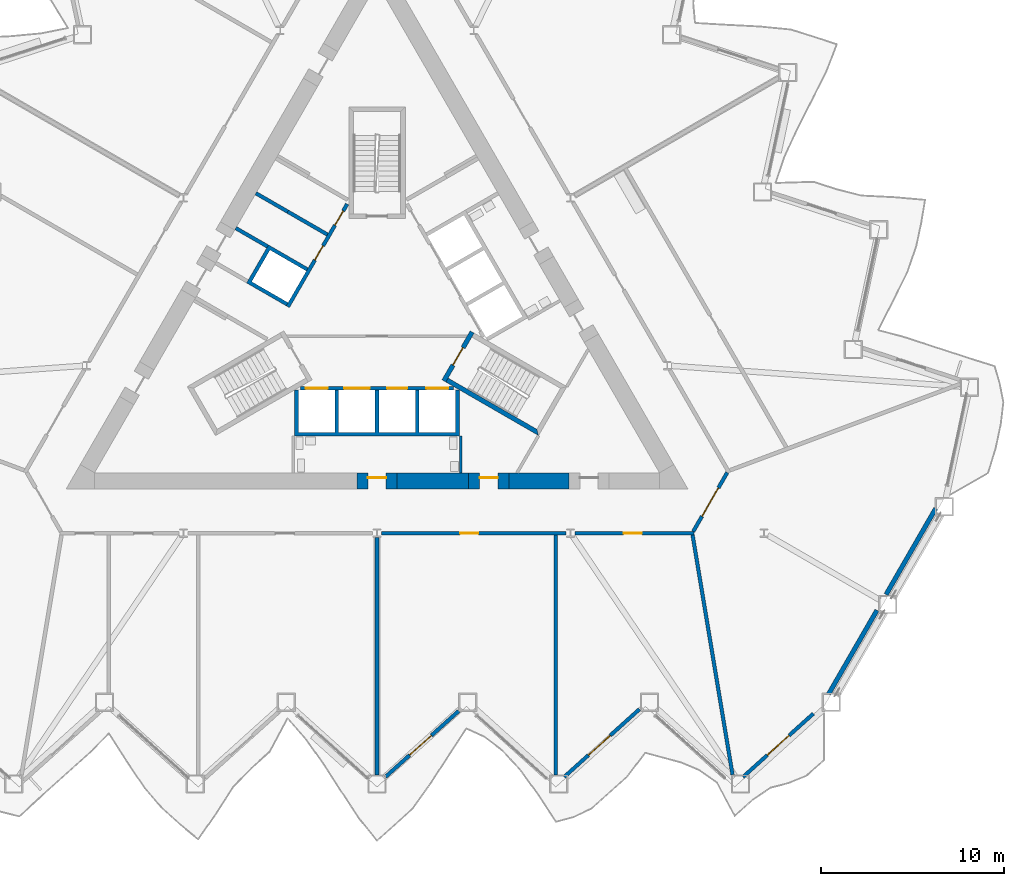
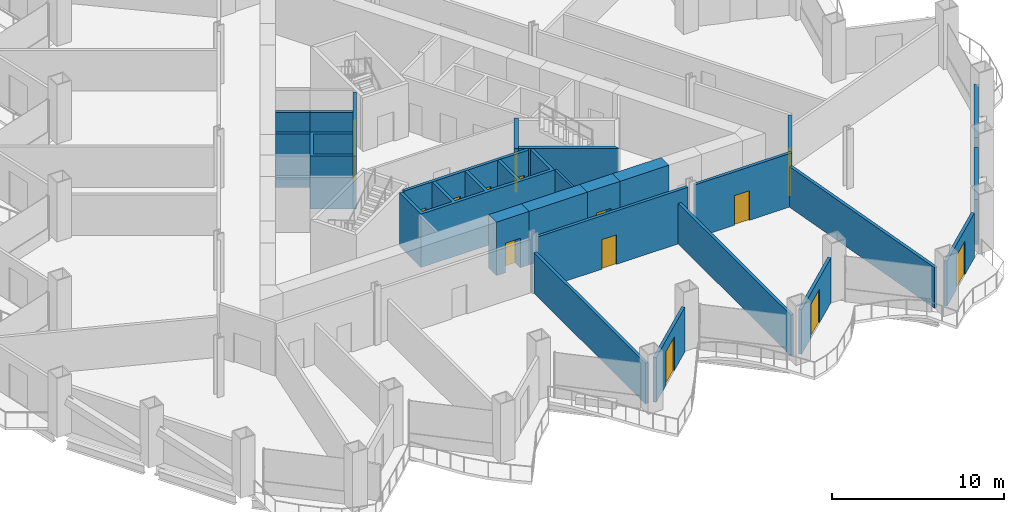
# One storey, part 10 of 20: 25 walls, 15 doors, 15 openings.
"""IFC4 building model written with IfcOpenShell, lengths in metres."""

from ifc_helpers import new_model, si_unit, direction, frame, frame_2d, origin, place, context, subcontext, project, spatial, polyline, rectangle, outline, extrude, material, layer, layer_set, type_object, element, fill, save


model = new_model("IFC4")

# Units and contexts
model_context = context("Model", 3, precision=1e-05, world=origin(), true_north=direction((0.0, 1.0)))
body_context = subcontext(model_context, "Body", "Model", "MODEL_VIEW")
ifc_project = project(units=[si_unit("LENGTHUNIT", "METRE"), si_unit("AREAUNIT", "SQUARE_METRE"), si_unit("VOLUMEUNIT", "CUBIC_METRE"), si_unit("PLANEANGLEUNIT", "RADIAN"), si_unit("MASSUNIT", "GRAM", prefix="KILO")], contexts=[model_context])

# Site, building, storey
site_placement = place(None, origin())
site = spatial("IfcSite", under=ifc_project, at=site_placement, CompositionType="ELEMENT")
building_placement = place(site_placement, origin())
building = spatial("IfcBuilding", under=site, at=building_placement, Name="Cormorant Prow Tower", CompositionType="ELEMENT")
storey_placement = place(building_placement, frame((0.0, 0.0, 63.60009765625)))
storey = spatial("IfcBuildingStorey", under=building, at=storey_placement, Name="L13", CompositionType="ELEMENT", Elevation=63.60009765625)

# Walls
ifc_material_1 = material(Name="Gypsum board partition")
ifc_layer_1 = layer(ifc_material_1, 0.14990234375)
ifc_layer_set_1 = layer_set([ifc_layer_1], Name="Gypsum board partition")
wall_type_1 = type_object("IfcWallType", Name="Core partition 150", PredefinedType="PARTITIONING", material=ifc_layer_set_1)
wall_1_placement = place(storey_placement, frame((4.574951171875, -6.906005859375, 0.0), z_axis=(0.0, 0.0, 1.0), x_axis=(0.0, -1.0, 0.0)))
element("IfcWall", 1, at=wall_1_placement, inside=storey, type_object=wall_type_1, Name="Service room partition", PredefinedType="PARTITIONING", context=body_context, shape_type="SweptSolid", body=[
    extrude(rectangle(XDim=2.009033203125, YDim=0.14990234375, at=frame_2d((1.00439453125, 0.0))), origin(), (0.0, 0.0, 1.0), 3.7998046875),
])
ifc_material_2 = material(Name="Concrete 8000 psi", Category="concrete")
ifc_layer_2 = layer(ifc_material_2, 0.89990234375)
ifc_layer_set_2 = layer_set([ifc_layer_2], Name="Concrete 8000 psi")
wall_type_2 = type_object("IfcWallType", Name="Core shear wall 900", PredefinedType="SHEAR", material=ifc_layer_set_2)
wall_2_placement = place(storey_placement, frame((1.10009765625, -9.364990234375, 0.0), z_axis=(0.0, 0.0, 1.0), x_axis=(1.0, 0.0, 0.0)))
element("IfcWall", 2, at=wall_2_placement, inside=storey, type_object=wall_type_2, Name="Core wall", PredefinedType="SHEAR", context=body_context, shape_type="SweptSolid", body=[
    extrude(rectangle(XDim=3.908935546875, YDim=0.89990234375, at=frame_2d((1.95458984375, 0.0))), origin(), (0.0, 0.0, 1.0), 3.7998046875),
])
wall_3_placement = place(storey_placement, frame((7.208984375, -9.364990234375, 0.0), z_axis=(0.0, 0.0, 1.0), x_axis=(1.0, 0.0, 0.0)))
element("IfcWall", 3, at=wall_3_placement, inside=storey, type_object=wall_type_2, Name="Core wall", PredefinedType="SHEAR", context=body_context, shape_type="SweptSolid", body=[
    extrude(rectangle(XDim=3.282470703125, YDim=0.89990234375, at=frame_2d((1.64111328125, 0.0))), origin(), (0.0, 0.0, 1.0), 3.7998046875),
])

# Wall, opening, door
wall_4_placement = place(storey_placement, frame((-1.10009765625, -9.364990234375, 0.0), z_axis=(0.0, 0.0, 1.0), x_axis=(1.0, 0.0, 0.0)))
wall_4 = element("IfcWall", 4, at=wall_4_placement, inside=storey, type_object=wall_type_2, Name="Core wall door panel", PredefinedType="SHEAR", context=body_context, shape_type="SweptSolid", body=[
    extrude(rectangle(XDim=2.2001953125, YDim=0.89990234375, at=frame_2d((1.10009765625, 0.0))), origin(), (0.0, 0.0, 1.0), 3.7998046875),
])
opening_1_placement = place(wall_4_placement, frame((0.60009765625, 0.0, 0.0)))
opening_1 = element("IfcOpeningElement", 5, at=opening_1_placement, cuts=wall_4, Name="Opening L13-C15", PredefinedType="OPENING", context=body_context, shape_type="SweptSolid", body=[
    extrude(rectangle(XDim=1.0, YDim=2.10009765625, at=frame_2d((0.5, 1.050048828125))), frame((0.0, 0.4599609375, 0.0), z_axis=(0.0, -1.0, 0.0), x_axis=(1.0, 0.0, 0.0)), (0.0, 0.0, 1.0), 0.919921875),
])
ifc_material_3 = material(Name="Painted steel", Category="steel")
door_type_1 = type_object("IfcDoorType", Name="Service door 1000x2100", OperationType="NOTDEFINED", PredefinedType="DOOR", material=ifc_material_3)
door_1_placement = place(opening_1_placement, origin())
door_1 = element("IfcDoor", 6, at=door_1_placement, inside=storey, type_object=door_type_1, Name="Core door, Toilets (women) L13", OperationType="SINGLE_SWING_RIGHT", OverallHeight=2.10009765625, OverallWidth=1.0, PredefinedType="DOOR", context=body_context, shape_type="SweptSolid", body=[
    extrude(rectangle(XDim=1.0, YDim=2.10009765625, at=frame_2d((0.5, 1.050048828125))), frame((0.0, 0.205078125, 0.0), z_axis=(0.0, -1.0, 0.0), x_axis=(1.0, 0.0, 0.0)), (0.0, 0.0, 1.0), 0.050048828125),
])
fill(opening_1, door_1)

wall_5_placement = place(storey_placement, frame((5.009033203125, -9.364990234375, 0.0), z_axis=(0.0, 0.0, 1.0), x_axis=(1.0, 0.0, 0.0)))
wall_5 = element("IfcWall", 7, at=wall_5_placement, inside=storey, type_object=wall_type_2, Name="Core wall door panel", PredefinedType="SHEAR", context=body_context, shape_type="SweptSolid", body=[
    extrude(rectangle(XDim=2.199951171875, YDim=0.89990234375, at=frame_2d((1.10009765625, 0.0))), origin(), (0.0, 0.0, 1.0), 3.7998046875),
])
opening_2_placement = place(wall_5_placement, frame((0.60009765625, 0.0, 0.0)))
opening_2 = element("IfcOpeningElement", 8, at=opening_2_placement, cuts=wall_5, Name="Opening L13-C22", PredefinedType="OPENING", context=body_context, shape_type="SweptSolid", body=[
    extrude(rectangle(XDim=1.0, YDim=2.10009765625, at=frame_2d((0.5, 1.050048828125))), frame((0.0, 0.4599609375, 0.0), z_axis=(0.0, -1.0, 0.0), x_axis=(1.0, 0.0, 0.0)), (0.0, 0.0, 1.0), 0.919921875),
])
door_2_placement = place(opening_2_placement, origin())
door_2 = element("IfcDoor", 9, at=door_2_placement, inside=storey, type_object=door_type_1, Name="Core door, Mechanical riser room", OperationType="SINGLE_SWING_RIGHT", OverallHeight=2.10009765625, OverallWidth=1.0, PredefinedType="DOOR", context=body_context, shape_type="SweptSolid", body=[
    extrude(rectangle(XDim=1.0, YDim=2.10009765625, at=frame_2d((0.5, 1.050048828125))), frame((0.0, 0.205078125, 0.0), z_axis=(0.0, -1.0, 0.0), x_axis=(1.0, 0.0, 0.0)), (0.0, 0.0, 1.0), 0.050048828125),
])
fill(opening_2, door_2)

ifc_material_4 = material(Name="Gypsum board corridor wall")
ifc_layer_3 = layer(ifc_material_4, 0.199951171875)
ifc_layer_set_3 = layer_set([ifc_layer_3], Name="Gypsum board corridor wall")
wall_type_3 = type_object("IfcWallType", Name="Corridor wall 200", PredefinedType="PARTITIONING", material=ifc_layer_set_3)
wall_6_placement = place(storey_placement, frame((0.2421875, -12.215087890625, 0.0), z_axis=(0.0, 0.0, 1.0), x_axis=(1.0, 0.0, 0.0)))
wall_6 = element("IfcWall", 10, at=wall_6_placement, inside=storey, type_object=wall_type_3, Name="Corridor wall", PredefinedType="PARTITIONING", context=body_context, shape_type="SweptSolid", body=[
    extrude(rectangle(XDim=10.093994140625, YDim=0.199951171875, at=frame_2d((5.046875, 0.0))), origin(), (0.0, 0.0, 1.0), 3.7998046875),
])
opening_3_placement = place(wall_6_placement, frame((4.294189453125, 0.0, 0.0)))
opening_3 = element("IfcOpeningElement", 11, at=opening_3_placement, cuts=wall_6, Name="Opening L13-F04", PredefinedType="OPENING", context=body_context, shape_type="SweptSolid", body=[
    extrude(rectangle(XDim=1.0, YDim=2.10009765625, at=frame_2d((0.5, 1.050048828125))), frame((0.0, 0.10986328125, 0.0), z_axis=(0.0, -1.0, 0.0), x_axis=(1.0, 0.0, 0.0)), (0.0, 0.0, 1.0), 0.219970703125),
])
ifc_material_5 = material(Name="Timber door leaf", Category="wood")
door_type_2 = type_object("IfcDoorType", Name="Office door 1000x2100", OperationType="NOTDEFINED", PredefinedType="DOOR", material=ifc_material_5)
door_3_placement = place(opening_3_placement, origin())
door_3 = element("IfcDoor", 12, at=door_3_placement, inside=storey, type_object=door_type_2, Name="Open-plan office door", OperationType="SINGLE_SWING_LEFT", OverallHeight=2.10009765625, OverallWidth=1.0, PredefinedType="DOOR", context=body_context, shape_type="SweptSolid", body=[
    extrude(rectangle(XDim=1.0, YDim=2.10009765625, at=frame_2d((0.5, 1.050048828125))), frame((0.0, 0.02490234375, 0.0), z_axis=(0.0, -1.0, 0.0), x_axis=(1.0, 0.0, 0.0)), (0.0, 0.0, 1.0), 0.050048828125),
])
fill(opening_3, door_3)

wall_7_placement = place(storey_placement, frame((10.82080078125, -12.215087890625, 0.0), z_axis=(0.0, 0.0, 1.0), x_axis=(1.0, 0.0, 0.0)))
wall_7 = element("IfcWall", 13, at=wall_7_placement, inside=storey, type_object=wall_type_3, Name="Corridor wall", PredefinedType="PARTITIONING", context=body_context, shape_type="SweptSolid", body=[
    extrude(rectangle(XDim=6.510009765625, YDim=0.199951171875, at=frame_2d((3.2548828125, 0.0))), origin(), (0.0, 0.0, 1.0), 3.7998046875),
])
opening_4_placement = place(wall_7_placement, frame((2.65478515625, 0.0, 0.0)))
opening_4 = element("IfcOpeningElement", 14, at=opening_4_placement, cuts=wall_7, Name="Opening L13-F05", PredefinedType="OPENING", context=body_context, shape_type="SweptSolid", body=[
    extrude(rectangle(XDim=1.0, YDim=2.10009765625, at=frame_2d((0.5, 1.050048828125))), frame((0.0, 0.10986328125, 0.0), z_axis=(0.0, -1.0, 0.0), x_axis=(1.0, 0.0, 0.0)), (0.0, 0.0, 1.0), 0.219970703125),
])
door_4_placement = place(opening_4_placement, origin())
door_4 = element("IfcDoor", 15, at=door_4_placement, inside=storey, type_object=door_type_2, Name="Tenant suite door", OperationType="SINGLE_SWING_LEFT", OverallHeight=2.10009765625, OverallWidth=1.0, PredefinedType="DOOR", context=body_context, shape_type="SweptSolid", body=[
    extrude(rectangle(XDim=1.0, YDim=2.10009765625, at=frame_2d((0.5, 1.050048828125))), frame((0.0, 0.02490234375, 0.0), z_axis=(0.0, -1.0, 0.0), x_axis=(1.0, 0.0, 0.0)), (0.0, 0.0, 1.0), 0.050048828125),
])
fill(opening_4, door_4)

wall_8_placement = place(storey_placement, frame((17.281005859375, -12.12841796875, 0.0), z_axis=(0.0, 0.0, 1.0), x_axis=(0.499958791762, 0.866049194065, 0.0)))
wall_8 = element("IfcWall", 16, at=wall_8_placement, inside=storey, type_object=wall_type_3, Name="Corridor wall", PredefinedType="PARTITIONING", context=body_context, shape_type="SweptSolid", body=[
    extrude(rectangle(XDim=3.725830078125, YDim=0.199951171875, at=frame_2d((1.86279296875, 0.0))), origin(), (0.0, 0.0, 1.0), 3.7998046875),
])
opening_5_placement = place(wall_8_placement, frame((0.962890625, 0.0, 0.0)))
opening_5 = element("IfcOpeningElement", 17, at=opening_5_placement, cuts=wall_8, Name="Opening L13-F06", PredefinedType="OPENING", context=body_context, shape_type="SweptSolid", body=[
    extrude(rectangle(XDim=1.800048828125, YDim=2.10009765625, at=frame_2d((0.89990234375, 1.050048828125))), frame((0.0, 0.10986328125, 0.0), z_axis=(0.0, -1.0, 0.0), x_axis=(1.0, 0.0, 0.0)), (0.0, 0.0, 1.0), 0.219970703125),
])
ifc_material_6 = material(Name="Timber door leaf", Category="wood")
door_type_3 = type_object("IfcDoorType", Name="Double door 1800x2100", OperationType="DOUBLE_DOOR_SINGLE_SWING", PredefinedType="DOOR", material=ifc_material_6)
door_5_placement = place(opening_5_placement, origin())
door_5 = element("IfcDoor", 18, at=door_5_placement, inside=storey, type_object=door_type_3, Name="Open-plan office door", OperationType="DOUBLE_DOOR_SINGLE_SWING", OverallHeight=2.10009765625, OverallWidth=1.800048828125, PredefinedType="DOOR", context=body_context, shape_type="SweptSolid", body=[
    extrude(rectangle(XDim=1.800048828125, YDim=2.10009765625, at=frame_2d((0.89990234375, 1.050048828125))), frame((0.0, 0.02490234375, 0.0), z_axis=(0.0, -1.0, 0.0), x_axis=(1.0, 0.0, 0.0)), (0.0, 0.0, 1.0), 0.050048828125),
])
fill(opening_5, door_5)

# Walls
ifc_material_7 = material(Name="Gypsum board demising wall")
ifc_layer_4 = layer(ifc_material_7, 0.199951171875)
ifc_layer_set_4 = layer_set([ifc_layer_4], Name="Gypsum board demising wall")
wall_type_4 = type_object("IfcWallType", Name="Demising wall 200", PredefinedType="PARTITIONING", material=ifc_layer_set_4)
wall_9_placement = place(storey_placement, frame((17.247314453125, -12.313720703125, 0.0), z_axis=(0.0, 0.0, 1.0), x_axis=(0.164396008001, -0.986394420378, 0.0)))
element("IfcWall", 19, at=wall_9_placement, inside=storey, type_object=wall_type_4, Name="Demising wall", PredefinedType="PARTITIONING", context=body_context, shape_type="SweptSolid", body=[
    extrude(rectangle(XDim=13.28857421875, YDim=0.199951171875, at=frame_2d((6.644287109375, 0.0))), origin(), (0.0, 0.0, 1.0), 2.88525390625),
])
wall_10_placement = place(storey_placement, frame((9.775390625, -25.42138671875, 0.0), z_axis=(0.0, 0.0, 1.0), x_axis=(0.0, 1.0, 0.0)))
element("IfcWall", 20, at=wall_10_placement, inside=storey, type_object=wall_type_4, Name="Demising wall", PredefinedType="PARTITIONING", context=body_context, shape_type="SweptSolid", body=[
    extrude(rectangle(XDim=13.1064453125, YDim=0.199951171875, at=frame_2d((6.55322265625, 0.0))), origin(), (0.0, 0.0, 1.0), 2.88525390625),
])
wall_11_placement = place(storey_placement, frame((0.0, -25.42138671875, 0.0), z_axis=(0.0, 0.0, 1.0), x_axis=(0.0, 1.0, 0.0)))
element("IfcWall", 21, at=wall_11_placement, inside=storey, type_object=wall_type_4, Name="Demising wall", PredefinedType="PARTITIONING", context=body_context, shape_type="SweptSolid", body=[
    extrude(rectangle(XDim=12.964111328125, YDim=0.199951171875, at=frame_2d((6.48193359375, 0.0))), origin(), (0.0, 0.0, 1.0), 2.88525390625),
])

# Wall, openings, doors
ifc_material_8 = material(Name="Concrete 5000 psi", Category="concrete")
ifc_layer_5 = layer(ifc_material_8, 0.199951171875)
ifc_layer_set_5 = layer_set([ifc_layer_5], Name="Concrete 5000 psi")
wall_type_5 = type_object("IfcWallType", Name="Lift lobby wall 200", PredefinedType="SOLIDWALL", material=ifc_layer_set_5)
wall_12_placement = place(storey_placement, frame((-4.1865234375, -4.300048828125, 0.0), z_axis=(0.0, 0.0, 1.0), x_axis=(1.0, 0.0, 0.0)))
wall_12 = element("IfcWall", 22, at=wall_12_placement, inside=storey, type_object=wall_type_5, Name="Lift lobby wall, S block", PredefinedType="SOLIDWALL", context=body_context, shape_type="SweptSolid", body=[
    extrude(rectangle(XDim=8.373046875, YDim=0.199951171875, at=frame_2d((4.1865234375, 0.0))), origin(), (0.0, 0.0, 1.0), 3.7998046875),
])
opening_6_placement = place(wall_12_placement, frame((0.28662109375, 0.0, 0.0)))
opening_6 = element("IfcOpeningElement", 23, at=opening_6_placement, cuts=wall_12, Name="Opening L13-C01", PredefinedType="OPENING", context=body_context, shape_type="SweptSolid", body=[
    extrude(rectangle(XDim=1.199951171875, YDim=2.10009765625, at=frame_2d((0.60009765625, 1.050048828125))), frame((0.0, 0.10986328125, 0.0), z_axis=(0.0, -1.0, 0.0), x_axis=(1.0, 0.0, 0.0)), (0.0, 0.0, 1.0), 0.219970703125),
])
opening_7_placement = place(wall_12_placement, frame((2.38671875, 0.0, 0.0)))
opening_7 = element("IfcOpeningElement", 24, at=opening_7_placement, cuts=wall_12, Name="Opening L13-C02", PredefinedType="OPENING", context=body_context, shape_type="SweptSolid", body=[
    extrude(rectangle(XDim=1.39990234375, YDim=2.10009765625, at=frame_2d((0.699951171875, 1.050048828125))), frame((0.0, 0.10986328125, 0.0), z_axis=(0.0, -1.0, 0.0), x_axis=(1.0, 0.0, 0.0)), (0.0, 0.0, 1.0), 0.219970703125),
])
opening_8_placement = place(wall_12_placement, frame((4.736572265625, 0.0, 0.0)))
opening_8 = element("IfcOpeningElement", 25, at=opening_8_placement, cuts=wall_12, Name="Opening L13-C03", PredefinedType="OPENING", context=body_context, shape_type="SweptSolid", body=[
    extrude(rectangle(XDim=1.10009765625, YDim=2.10009765625, at=frame_2d((0.550048828125, 1.050048828125))), frame((0.0, 0.10986328125, 0.0), z_axis=(0.0, -1.0, 0.0), x_axis=(1.0, 0.0, 0.0)), (0.0, 0.0, 1.0), 0.219970703125),
])
opening_9_placement = place(wall_12_placement, frame((6.88671875, 0.0, 0.0)))
opening_9 = element("IfcOpeningElement", 26, at=opening_9_placement, cuts=wall_12, Name="Opening L13-C04", PredefinedType="OPENING", context=body_context, shape_type="SweptSolid", body=[
    extrude(rectangle(XDim=1.199951171875, YDim=2.10009765625, at=frame_2d((0.60009765625, 1.050048828125))), frame((0.0, 0.10986328125, 0.0), z_axis=(0.0, -1.0, 0.0), x_axis=(1.0, 0.0, 0.0)), (0.0, 0.0, 1.0), 0.219970703125),
])
ifc_material_9 = material(Name="Painted steel", Category="steel")
door_type_4 = type_object("IfcDoorType", Name="Firefighting lift landing door 1200x2100", OperationType="SLIDING_TO_LEFT", PredefinedType="DOOR", material=ifc_material_9)
door_6_placement = place(opening_6_placement, origin())
door_6 = element("IfcDoor", 27, at=door_6_placement, inside=storey, type_object=door_type_4, Name="Landing door FL1", OperationType="SLIDING_TO_LEFT", OverallHeight=2.10009765625, OverallWidth=1.199951171875, PredefinedType="DOOR", context=body_context, shape_type="SweptSolid", body=[
    extrude(rectangle(XDim=1.199951171875, YDim=2.10009765625, at=frame_2d((0.60009765625, 1.050048828125))), frame((0.0, 0.02490234375, 0.0), z_axis=(0.0, -1.0, 0.0), x_axis=(1.0, 0.0, 0.0)), (0.0, 0.0, 1.0), 0.050048828125),
])
fill(opening_6, door_6)
door_7_placement = place(opening_9_placement, origin())
door_7 = element("IfcDoor", 28, at=door_7_placement, inside=storey, type_object=door_type_4, Name="Landing door FL2", OperationType="SLIDING_TO_LEFT", OverallHeight=2.10009765625, OverallWidth=1.199951171875, PredefinedType="DOOR", context=body_context, shape_type="SweptSolid", body=[
    extrude(rectangle(XDim=1.199951171875, YDim=2.10009765625, at=frame_2d((0.60009765625, 1.050048828125))), frame((0.0, 0.02490234375, 0.0), z_axis=(0.0, -1.0, 0.0), x_axis=(1.0, 0.0, 0.0)), (0.0, 0.0, 1.0), 0.050048828125),
])
fill(opening_9, door_7)
ifc_material_10 = material(Name="Painted steel", Category="steel")
door_type_5 = type_object("IfcDoorType", Name="Lift landing door 1100x2100", OperationType="SLIDING_TO_LEFT", PredefinedType="DOOR", material=ifc_material_10)
door_8_placement = place(opening_8_placement, origin())
door_8 = element("IfcDoor", 29, at=door_8_placement, inside=storey, type_object=door_type_5, Name="Landing door LR1", OperationType="SLIDING_TO_LEFT", OverallHeight=2.10009765625, OverallWidth=1.10009765625, PredefinedType="DOOR", context=body_context, shape_type="SweptSolid", body=[
    extrude(rectangle(XDim=1.10009765625, YDim=2.10009765625, at=frame_2d((0.550048828125, 1.050048828125))), frame((0.0, 0.02490234375, 0.0), z_axis=(0.0, -1.0, 0.0), x_axis=(1.0, 0.0, 0.0)), (0.0, 0.0, 1.0), 0.050048828125),
])
fill(opening_8, door_8)
ifc_material_11 = material(Name="Painted steel", Category="steel")
door_type_6 = type_object("IfcDoorType", Name="Service lift landing door 1400x2100", OperationType="SLIDING_TO_LEFT", PredefinedType="DOOR", material=ifc_material_11)
door_9_placement = place(opening_7_placement, origin())
door_9 = element("IfcDoor", 30, at=door_9_placement, inside=storey, type_object=door_type_6, Name="Landing door SL1", OperationType="SLIDING_TO_LEFT", OverallHeight=2.10009765625, OverallWidth=1.39990234375, PredefinedType="DOOR", context=body_context, shape_type="SweptSolid", body=[
    extrude(rectangle(XDim=1.39990234375, YDim=2.10009765625, at=frame_2d((0.699951171875, 1.050048828125))), frame((0.0, 0.02490234375, 0.0), z_axis=(0.0, -1.0, 0.0), x_axis=(1.0, 0.0, 0.0)), (0.0, 0.0, 1.0), 0.050048828125),
])
fill(opening_7, door_9)

wall_13_placement = place(storey_placement, frame((-1.630615234375, 5.775634765625, 0.0), z_axis=(0.0, 0.0, 1.0), x_axis=(-0.499992876559, -0.866029516466, 0.0)))
wall_13 = element("IfcWall", 31, at=wall_13_placement, inside=storey, type_object=wall_type_5, Name="Lift lobby wall, WNW block", PredefinedType="SOLIDWALL", context=body_context, shape_type="SweptSolid", body=[
    extrude(rectangle(XDim=6.486328125, YDim=0.199951171875, at=frame_2d((3.2431640625, 0.0))), origin(), (0.0, 0.0, 1.0), 3.7998046875),
])
opening_10_placement = place(wall_13_placement, frame((0.4365234375, 0.0, 0.0)))
opening_10 = element("IfcOpeningElement", 32, at=opening_10_placement, cuts=wall_13, Name="Opening L13-C09", PredefinedType="OPENING", context=body_context, shape_type="SweptSolid", body=[
    extrude(rectangle(XDim=0.89990234375, YDim=2.10009765625, at=frame_2d((0.449951171875, 1.050048828125))), frame((0.0, 0.10986328125, 0.0), z_axis=(0.0, -1.0, 0.0), x_axis=(1.0, 0.0, 0.0)), (0.0, 0.0, 1.0), 0.219970703125),
])
opening_11_placement = place(wall_13_placement, frame((2.63671875, 0.0, 0.0)))
opening_11 = element("IfcOpeningElement", 33, at=opening_11_placement, cuts=wall_13, Name="Opening L13-C10", PredefinedType="OPENING", context=body_context, shape_type="SweptSolid", body=[
    extrude(rectangle(XDim=0.89990234375, YDim=2.10009765625, at=frame_2d((0.449951171875, 1.050048828125))), frame((0.0, 0.10986328125, 0.0), z_axis=(0.0, -1.0, 0.0), x_axis=(1.0, 0.0, 0.0)), (0.0, 0.0, 1.0), 0.219970703125),
])
ifc_material_12 = material(Name="Painted steel", Category="steel")
door_type_7 = type_object("IfcDoorType", Name="Service door 900x2100", OperationType="NOTDEFINED", PredefinedType="DOOR", material=ifc_material_12)
door_10_placement = place(opening_10_placement, origin())
door_10 = element("IfcDoor", 34, at=door_10_placement, inside=storey, type_object=door_type_7, Name="Service door, Electrical room", OperationType="SINGLE_SWING_LEFT", OverallHeight=2.10009765625, OverallWidth=0.89990234375, PredefinedType="DOOR", context=body_context, shape_type="SweptSolid", body=[
    extrude(rectangle(XDim=0.89990234375, YDim=2.10009765625, at=frame_2d((0.449951171875, 1.050048828125))), frame((0.0, 0.02490234375, 0.0), z_axis=(0.0, -1.0, 0.0), x_axis=(1.0, 0.0, 0.0)), (0.0, 0.0, 1.0), 0.050048828125),
])
fill(opening_10, door_10)
door_11_placement = place(opening_11_placement, origin())
door_11 = element("IfcDoor", 35, at=door_11_placement, inside=storey, type_object=door_type_7, Name="Service door, Linen store", OperationType="SINGLE_SWING_LEFT", OverallHeight=2.10009765625, OverallWidth=0.89990234375, PredefinedType="DOOR", context=body_context, shape_type="SweptSolid", body=[
    extrude(rectangle(XDim=0.89990234375, YDim=2.10009765625, at=frame_2d((0.449951171875, 1.050048828125))), frame((0.0, 0.02490234375, 0.0), z_axis=(0.0, -1.0, 0.0), x_axis=(1.0, 0.0, 0.0)), (0.0, 0.0, 1.0), 0.050048828125),
])
fill(opening_11, door_11)

# Walls
ifc_material_13 = material(Name="Concrete 8000 psi", Category="concrete")
ifc_layer_6 = layer(ifc_material_13, 0.199951171875)
ifc_layer_set_6 = layer_set([ifc_layer_6], Name="Concrete 8000 psi")
wall_type_6 = type_object("IfcWallType", Name="Lift shaft wall 200", PredefinedType="SHEAR", material=ifc_layer_set_6)
wall_14_placement = place(storey_placement, origin())
element("IfcWall", 36, at=wall_14_placement, inside=storey, type_object=wall_type_6, Name="Lift shaft walls, S block", PredefinedType="SHEAR", context=body_context, shape_type="SweptSolid", body=[
    extrude(outline(polyline([(4.5, -4.39990234375), (4.5, -6.906005859375), (-4.5, -6.906005859375), (-4.5, -4.39990234375), (-4.300048828125, -4.39990234375), (-4.300048828125, -6.699951171875), (-2.300048828125, -6.699951171875), (-2.300048828125, -4.39990234375), (-2.10009765625, -4.39990234375), (-2.10009765625, -6.699951171875), (-0.10009765625, -6.699951171875), (-0.10009765625, -4.39990234375), (0.10009765625, -4.39990234375), (0.10009765625, -6.699951171875), (2.10009765625, -6.699951171875), (2.10009765625, -4.39990234375), (2.300048828125, -4.39990234375), (2.300048828125, -6.699951171875), (4.300048828125, -6.699951171875), (4.300048828125, -4.39990234375), (4.5, -4.39990234375)])), origin(), (0.0, 0.0, 1.0), 3.7998046875),
])
wall_15_placement = place(storey_placement, origin())
element("IfcWall", 37, at=wall_15_placement, inside=storey, type_object=wall_type_6, Name="Lift shaft walls, WNW block", PredefinedType="SHEAR", context=body_context, shape_type="SweptSolid", body=[
    extrude(outline(polyline([(-4.96044921875, 0.2080078125), (-7.130859375, 1.461181640625), (-5.930908203125, 3.53955078125), (-3.760498046875, 2.28662109375), (-3.860595703125, 2.11328125), (-5.852294921875, 3.263427734375), (-6.852294921875, 1.53125), (-4.860595703125, 0.38134765625), (-4.96044921875, 0.2080078125)])), origin(), (0.0, 0.0, 1.0), 3.7998046875),
])
wall_16_placement = place(storey_placement, origin())
element("IfcWall", 38, at=wall_16_placement, inside=storey, type_object=wall_type_6, Name="Lift shaft walls, WNW block", PredefinedType="SHEAR", context=body_context, shape_type="SweptSolid", body=[
    extrude(outline(polyline([(-2.760498046875, 4.018798828125), (-4.930908203125, 5.271728515625), (-4.830810546875, 5.44482421875), (-2.660400390625, 4.19189453125), (-2.760498046875, 4.018798828125)])), origin(), (0.0, 0.0, 1.0), 3.7998046875),
])
wall_17_placement = place(storey_placement, frame((-4.880859375, 5.3583984375, 0.0), z_axis=(0.0, 0.0, 1.0), x_axis=(-0.866035824272, 0.499981950752, 0.0)))
element("IfcWall", 39, at=wall_17_placement, inside=storey, type_object=wall_type_6, Name="Store side wall", PredefinedType="SHEAR", context=body_context, shape_type="SweptSolid", body=[
    extrude(rectangle(XDim=2.0087890625, YDim=0.199951171875, at=frame_2d((1.00439453125, 0.0))), origin(), (0.0, 0.0, 1.0), 3.7998046875),
])
wall_18_placement = place(storey_placement, frame((-5.980712890625, 3.452880859375, 0.0), z_axis=(0.0, 0.0, 1.0), x_axis=(-0.866013584312, 0.500020471368, 0.0)))
element("IfcWall", 40, at=wall_18_placement, inside=storey, type_object=wall_type_6, Name="Store side wall", PredefinedType="SHEAR", context=body_context, shape_type="SweptSolid", body=[
    extrude(rectangle(XDim=2.00927734375, YDim=0.199951171875, at=frame_2d((1.004638671875, 0.0))), origin(), (0.0, 0.0, 1.0), 3.7998046875),
])
ifc_material_14 = material(Name="Concrete 8000 psi", Category="concrete")
ifc_layer_7 = layer(ifc_material_14, 0.25)
ifc_layer_set_7 = layer_set([ifc_layer_7], Name="Concrete 8000 psi")
wall_type_7 = type_object("IfcWallType", Name="Stair wall 250", PredefinedType="SHEAR", material=ifc_layer_set_7)
wall_19_placement = place(storey_placement, origin())
element("IfcWall", 41, at=wall_19_placement, inside=storey, type_object=wall_type_7, Name="Stair ST2 enclosure wall (flank)", PredefinedType="SHEAR", context=body_context, shape_type="SweptSolid", body=[
    extrude(outline(polyline([(3.76318359375, -3.95556640625), (8.82958984375, -6.880615234375), (8.738037109375, -6.5390625), (3.88818359375, -3.739013671875), (3.76318359375, -3.95556640625)])), origin(), (0.0, 0.0, 1.0), 3.7998046875),
])

# Wall, opening, door
wall_20_placement = place(storey_placement, frame((3.655029296875, -3.89306640625, 0.0), z_axis=(0.0, 0.0, 1.0), x_axis=(0.499982516597, 0.866035497597, 0.0)))
wall_20 = element("IfcWall", 42, at=wall_20_placement, inside=storey, type_object=wall_type_7, Name="Stair ST2 door wall", PredefinedType="SHEAR", context=body_context, shape_type="SweptSolid", body=[
    extrude(rectangle(XDim=3.087890625, YDim=0.25, at=frame_2d((1.5439453125, 0.0))), origin(), (0.0, 0.0, 1.0), 3.7998046875),
])
opening_12_placement = place(wall_20_placement, frame((0.993896484375, 0.0, 0.0)))
opening_12 = element("IfcOpeningElement", 43, at=opening_12_placement, cuts=wall_20, Name="Opening L13-C13", PredefinedType="OPENING", context=body_context, shape_type="SweptSolid", body=[
    extrude(rectangle(XDim=1.10009765625, YDim=2.10009765625, at=frame_2d((0.550048828125, 1.050048828125))), frame((0.0, 0.135009765625, 0.0), z_axis=(0.0, -1.0, 0.0), x_axis=(1.0, 0.0, 0.0)), (0.0, 0.0, 1.0), 0.27001953125),
])
ifc_material_15 = material(Name="Painted steel", Category="steel")
door_type_8 = type_object("IfcDoorType", Name="Stair door 1100x2100", OperationType="NOTDEFINED", PredefinedType="DOOR", material=ifc_material_15)
door_12_placement = place(opening_12_placement, origin())
door_12 = element("IfcDoor", 44, at=door_12_placement, inside=storey, type_object=door_type_8, Name="Stair ST2 door", OperationType="SINGLE_SWING_RIGHT", OverallHeight=2.10009765625, OverallWidth=1.10009765625, PredefinedType="DOOR", context=body_context, shape_type="SweptSolid", body=[
    extrude(rectangle(XDim=1.10009765625, YDim=2.10009765625, at=frame_2d((0.550048828125, 1.050048828125))), frame((0.0, 0.02490234375, 0.0), z_axis=(0.0, -1.0, 0.0), x_axis=(1.0, 0.0, 0.0)), (0.0, 0.0, 1.0), 0.050048828125),
])
fill(opening_12, door_12)

# Walls
ifc_material_16 = material(Name="Terracotta", Category="masonry")
ifc_layer_8 = layer(ifc_material_16, 0.25)
ifc_layer_set_8 = layer_set([ifc_layer_8], Name="Terracotta")
wall_type_8 = type_object("IfcWallType", Name="Terracotta bay wall 250", PredefinedType="SOLIDWALL", material=ifc_layer_set_8)
wall_21_placement = place(storey_placement, frame((24.68212890625, -21.0146484375, 0.0), z_axis=(0.0, 0.0, 1.0), x_axis=(0.500008603535, 0.866020436474, 0.0)))
element("IfcWall", 45, at=wall_21_placement, inside=storey, type_object=wall_type_8, Name="Terracotta bay wall ESE00", PredefinedType="SOLIDWALL", context=body_context, shape_type="SweptSolid", body=[
    extrude(rectangle(XDim=5.29296875, YDim=0.25, at=frame_2d((2.646484375, 0.0))), origin(), (0.0, 0.0, 1.0), 3.188720703125),
])
wall_22_placement = place(storey_placement, frame((27.827392578125, -15.56689453125, 0.0), z_axis=(0.0, 0.0, 1.0), x_axis=(0.499991204533, 0.86603048179, 0.0)))
element("IfcWall", 46, at=wall_22_placement, inside=storey, type_object=wall_type_8, Name="Terracotta bay wall ESE01", PredefinedType="SOLIDWALL", context=body_context, shape_type="SweptSolid", body=[
    extrude(rectangle(XDim=5.42578125, YDim=0.25, at=frame_2d((2.712890625, 0.0))), origin(), (0.0, 0.0, 1.0), 3.188720703125),
])

# Wall, opening, door
ifc_material_17 = material(Name="Terracotta", Category="masonry")
ifc_layer_9 = layer(ifc_material_17, 0.199951171875)
ifc_layer_set_9 = layer_set([ifc_layer_9], Name="Terracotta")
wall_type_9 = type_object("IfcWallType", Name="Terracotta jamb wall 200", PredefinedType="SOLIDWALL", material=ifc_layer_set_9)
wall_23_placement = place(storey_placement, frame((0.45556640625, -25.542236328125, 0.0), z_axis=(0.0, 0.0, 1.0), x_axis=(0.743143413551, 0.669132174459, 0.0)))
wall_23 = element("IfcWall", 47, at=wall_23_placement, inside=storey, type_object=wall_type_9, Name="Terracotta jamb wall S05", PredefinedType="SOLIDWALL", context=body_context, shape_type="SweptSolid", body=[
    extrude(rectangle(XDim=5.396728515625, YDim=0.199951171875, at=frame_2d((2.6982421875, 0.0))), origin(), (0.0, 0.0, 1.0), 3.188720703125),
])
opening_13_placement = place(wall_23_placement, frame((1.78564453125, 0.0, 0.0)))
opening_13 = element("IfcOpeningElement", 48, at=opening_13_placement, cuts=wall_23, Name="Opening ED13.03", PredefinedType="OPENING", context=body_context, shape_type="SweptSolid", body=[
    extrude(rectangle(XDim=1.60009765625, YDim=2.39990234375, at=frame_2d((0.800048828125, 1.199951171875))), frame((0.0, 0.10986328125, 0.0), z_axis=(0.0, -1.0, 0.0), x_axis=(1.0, 0.0, 0.0)), (0.0, 0.0, 1.0), 0.219970703125),
])
ifc_material_18 = material(Name="Aluminium 6063-T6", Category="aluminium")
door_type_9 = type_object("IfcDoorType", Name="Balcony door 1600x2400", OperationType="DOUBLE_DOOR_SINGLE_SWING", PredefinedType="DOOR", material=ifc_material_18)
door_13_placement = place(opening_13_placement, origin())
door_13 = element("IfcDoor", 49, at=door_13_placement, inside=storey, type_object=door_type_9, Name="Balcony door S05 ED13.03", OperationType="DOUBLE_DOOR_SINGLE_SWING", OverallHeight=2.39990234375, OverallWidth=1.60009765625, PredefinedType="DOOR", context=body_context, shape_type="SweptSolid", body=[
    extrude(rectangle(XDim=1.60009765625, YDim=2.39990234375, at=frame_2d((0.800048828125, 1.199951171875))), frame((0.0, 0.02490234375, 0.0), z_axis=(0.0, -1.0, 0.0), x_axis=(1.0, 0.0, 0.0)), (0.0, 0.0, 1.0), 0.050048828125),
])
fill(opening_13, door_13)

wall_24_placement = place(storey_placement, frame((10.23095703125, -25.542236328125, 0.0), z_axis=(0.0, 0.0, 1.0), x_axis=(0.743162549077, 0.669110921783, 0.0)))
wall_24 = element("IfcWall", 50, at=wall_24_placement, inside=storey, type_object=wall_type_9, Name="Terracotta jamb wall S07", PredefinedType="SOLIDWALL", context=body_context, shape_type="SweptSolid", body=[
    extrude(rectangle(XDim=5.535400390625, YDim=0.199951171875, at=frame_2d((2.767578125, 0.0))), origin(), (0.0, 0.0, 1.0), 3.188720703125),
])
opening_14_placement = place(wall_24_placement, frame((1.78564453125, 0.0, 0.0)))
opening_14 = element("IfcOpeningElement", 51, at=opening_14_placement, cuts=wall_24, Name="Opening ED13.04", PredefinedType="OPENING", context=body_context, shape_type="SweptSolid", body=[
    extrude(rectangle(XDim=1.60009765625, YDim=2.39990234375, at=frame_2d((0.800048828125, 1.199951171875))), frame((0.0, 0.10986328125, 0.0), z_axis=(0.0, -1.0, 0.0), x_axis=(1.0, 0.0, 0.0)), (0.0, 0.0, 1.0), 0.219970703125),
])
door_14_placement = place(opening_14_placement, origin())
door_14 = element("IfcDoor", 52, at=door_14_placement, inside=storey, type_object=door_type_9, Name="Balcony door S07 ED13.04", OperationType="DOUBLE_DOOR_SINGLE_SWING", OverallHeight=2.39990234375, OverallWidth=1.60009765625, PredefinedType="DOOR", context=body_context, shape_type="SweptSolid", body=[
    extrude(rectangle(XDim=1.60009765625, YDim=2.39990234375, at=frame_2d((0.800048828125, 1.199951171875))), frame((0.0, 0.02490234375, 0.0), z_axis=(0.0, -1.0, 0.0), x_axis=(1.0, 0.0, 0.0)), (0.0, 0.0, 1.0), 0.050048828125),
])
fill(opening_14, door_14)

wall_25_placement = place(storey_placement, frame((20.006591796875, -25.542236328125, 0.0), z_axis=(0.0, 0.0, 1.0), x_axis=(0.743150930715, 0.669123825743, 0.0)))
wall_25 = element("IfcWall", 53, at=wall_25_placement, inside=storey, type_object=wall_type_9, Name="Terracotta jamb wall S09", PredefinedType="SOLIDWALL", context=body_context, shape_type="SweptSolid", body=[
    extrude(rectangle(XDim=5.171142578125, YDim=0.199951171875, at=frame_2d((2.58544921875, 0.0))), origin(), (0.0, 0.0, 1.0), 3.188720703125),
])
opening_15_placement = place(wall_25_placement, frame((1.78564453125, 0.0, 0.0)))
opening_15 = element("IfcOpeningElement", 54, at=opening_15_placement, cuts=wall_25, Name="Opening ED13.05", PredefinedType="OPENING", context=body_context, shape_type="SweptSolid", body=[
    extrude(rectangle(XDim=1.60009765625, YDim=2.39990234375, at=frame_2d((0.800048828125, 1.199951171875))), frame((0.0, 0.10986328125, 0.0), z_axis=(0.0, -1.0, 0.0), x_axis=(1.0, 0.0, 0.0)), (0.0, 0.0, 1.0), 0.219970703125),
])
door_15_placement = place(opening_15_placement, origin())
door_15 = element("IfcDoor", 55, at=door_15_placement, inside=storey, type_object=door_type_9, Name="Balcony door S09 ED13.05", OperationType="DOUBLE_DOOR_SINGLE_SWING", OverallHeight=2.39990234375, OverallWidth=1.60009765625, PredefinedType="DOOR", context=body_context, shape_type="SweptSolid", body=[
    extrude(rectangle(XDim=1.60009765625, YDim=2.39990234375, at=frame_2d((0.800048828125, 1.199951171875))), frame((0.0, 0.02490234375, 0.0), z_axis=(0.0, -1.0, 0.0), x_axis=(1.0, 0.0, 0.0)), (0.0, 0.0, 1.0), 0.050048828125),
])
fill(opening_15, door_15)

save(model, "model.ifc")
